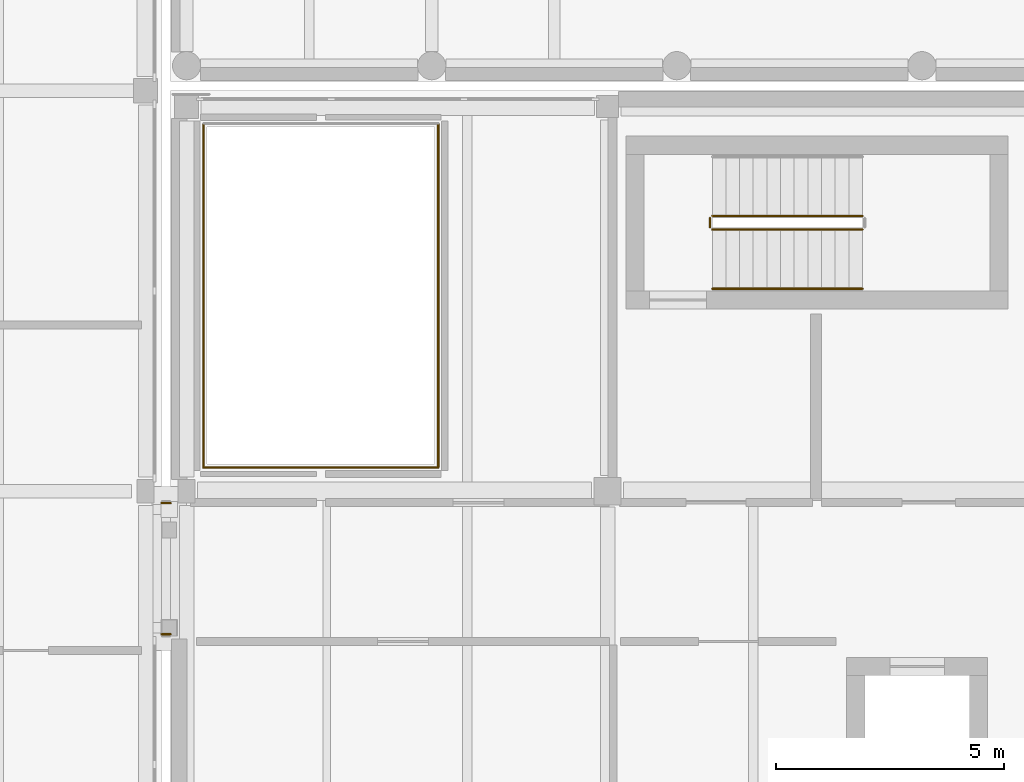
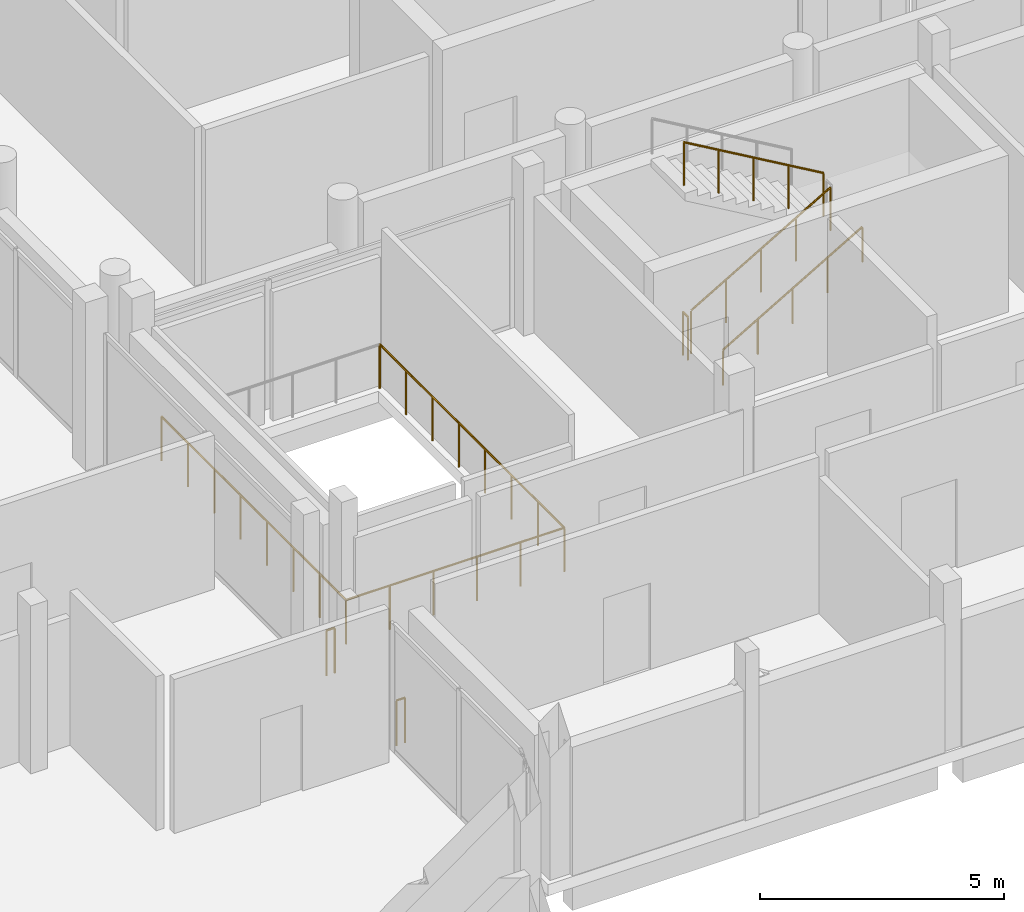
# One storey, part 54 of 66: 9 railings.
"""IFC4 building model written with IfcOpenShell, lengths in metres."""

from ifc_helpers import new_model, si_unit, direction, frame, origin, origin_2d, place, context, subcontext, project, spatial, circle, extrude, material, type_object, element, save


model = new_model("IFC4")

# Units and contexts
model_context = context("Model", 3, precision=1e-05, world=origin(), true_north=direction((0.0, 1.0)))
body_context = subcontext(model_context, "Body", "Model", "MODEL_VIEW")
ifc_project = project(units=[si_unit("LENGTHUNIT", "METRE"), si_unit("AREAUNIT", "SQUARE_METRE"), si_unit("VOLUMEUNIT", "CUBIC_METRE"), si_unit("PLANEANGLEUNIT", "RADIAN"), si_unit("MASSUNIT", "GRAM", prefix="KILO")], contexts=[model_context])

# Site, building, storey
site_placement = place(None, origin())
site = spatial("IfcSite", under=ifc_project, at=site_placement, CompositionType="ELEMENT")
building_placement = place(site_placement, origin())
building = spatial("IfcBuilding", under=site, at=building_placement, Name="Birchvale Park Specialist Clinic", CompositionType="ELEMENT")
storey_placement = place(building_placement, frame((0.0, 0.0, 5.39990234375)))
storey = spatial("IfcBuildingStorey", under=building, at=storey_placement, Name="L01", CompositionType="ELEMENT", Elevation=5.39990234375)

# Railings
ifc_material_1 = material(Name="Brushed stainless steel and laminated glass balustrade", Category="steel")
railing_type_1 = type_object("IfcRailingType", Name="RL-BAL1", PredefinedType="BALUSTRADE", material=ifc_material_1)
railing_1_placement = place(storey_placement, frame((52.52001953125, 26.320068359375, 0.0)))
element("IfcRailing", 1, at=railing_1_placement, inside=storey, type_object=railing_type_1, Name="V4 L01 atrium void balustrade 14", PredefinedType="BALUSTRADE", context=body_context, shape_type="SweptSolid", body=[
    extrude(circle(Radius=0.02392578125, at=origin_2d()), frame((0.0, 0.0, 1.09619140625), z_axis=(1.0, 0.0, 0.0), x_axis=(0.0, 1.0, 0.0)), (0.0, 0.0, 1.0), 5.159912109375),
    extrude(circle(Radius=0.02099609375, at=origin_2d()), origin(), (0.0, 0.0, 1.0), 1.072021484375),
    extrude(circle(Radius=0.02099609375, at=origin_2d()), frame((1.031982421875, 0.0, 0.0)), (0.0, 0.0, 1.0), 1.072021484375),
    extrude(circle(Radius=0.02099609375, at=origin_2d()), frame((2.06396484375, 0.0, 0.0)), (0.0, 0.0, 1.0), 1.072021484375),
    extrude(circle(Radius=0.02099609375, at=origin_2d()), frame((3.095947265625, 0.0, 0.0)), (0.0, 0.0, 1.0), 1.072021484375),
    extrude(circle(Radius=0.02099609375, at=origin_2d()), frame((4.1279296875, 0.0, 0.0)), (0.0, 0.0, 1.0), 1.072021484375),
    extrude(circle(Radius=0.02099609375, at=origin_2d()), frame((5.159912109375, 0.0, 0.0)), (0.0, 0.0, 1.0), 1.072021484375),
])
railing_2_placement = place(storey_placement, frame((57.679931640625, 26.320068359375, 0.0)))
element("IfcRailing", 2, at=railing_2_placement, inside=storey, type_object=railing_type_1, Name="V4 L01 atrium void balustrade 15", PredefinedType="BALUSTRADE", context=body_context, shape_type="SweptSolid", body=[
    extrude(circle(Radius=0.02392578125, at=origin_2d()), frame((0.0, 0.0, 1.09619140625), z_axis=(0.0, 1.0, 0.0), x_axis=(-1.0, 0.0, 0.0)), (0.0, 0.0, 1.0), 7.559814453125),
    extrude(circle(Radius=0.02099609375, at=origin_2d()), origin(), (0.0, 0.0, 1.0), 1.072021484375),
    extrude(circle(Radius=0.02099609375, at=origin_2d()), frame((0.0, 1.080078125, 0.0)), (0.0, 0.0, 1.0), 1.072021484375),
    extrude(circle(Radius=0.02099609375, at=origin_2d()), frame((0.0, 2.159912109375, 0.0)), (0.0, 0.0, 1.0), 1.072021484375),
    extrude(circle(Radius=0.02099609375, at=origin_2d()), frame((0.0, 3.239990234375, 0.0)), (0.0, 0.0, 1.0), 1.072021484375),
    extrude(circle(Radius=0.02099609375, at=origin_2d()), frame((0.0, 4.31982421875, 0.0)), (0.0, 0.0, 1.0), 1.072021484375),
    extrude(circle(Radius=0.02099609375, at=origin_2d()), frame((0.0, 5.39990234375, 0.0)), (0.0, 0.0, 1.0), 1.072021484375),
    extrude(circle(Radius=0.02099609375, at=origin_2d()), frame((0.0, 6.479736328125, 0.0)), (0.0, 0.0, 1.0), 1.072021484375),
    extrude(circle(Radius=0.02099609375, at=origin_2d()), frame((0.0, 7.559814453125, 0.0)), (0.0, 0.0, 1.0), 1.072021484375),
])
railing_3_placement = place(storey_placement, frame((52.52001953125, 33.8798828125, 0.0)))
element("IfcRailing", 3, at=railing_3_placement, inside=storey, type_object=railing_type_1, Name="V4 L01 atrium void balustrade 17", PredefinedType="BALUSTRADE", context=body_context, shape_type="SweptSolid", body=[
    extrude(circle(Radius=0.02392578125, at=origin_2d()), frame((0.0, 0.0, 1.09619140625), z_axis=(0.0, -1.0, 0.0), x_axis=(1.0, 0.0, 0.0)), (0.0, 0.0, 1.0), 7.559814453125),
    extrude(circle(Radius=0.02099609375, at=origin_2d()), origin(), (0.0, 0.0, 1.0), 1.072021484375),
    extrude(circle(Radius=0.02099609375, at=origin_2d()), frame((0.0, -1.080078125, 0.0)), (0.0, 0.0, 1.0), 1.072021484375),
    extrude(circle(Radius=0.02099609375, at=origin_2d()), frame((0.0, -2.159912109375, 0.0)), (0.0, 0.0, 1.0), 1.072021484375),
    extrude(circle(Radius=0.02099609375, at=origin_2d()), frame((0.0, -3.239990234375, 0.0)), (0.0, 0.0, 1.0), 1.072021484375),
    extrude(circle(Radius=0.02099609375, at=origin_2d()), frame((0.0, -4.31982421875, 0.0)), (0.0, 0.0, 1.0), 1.072021484375),
    extrude(circle(Radius=0.02099609375, at=origin_2d()), frame((0.0, -5.39990234375, 0.0)), (0.0, 0.0, 1.0), 1.072021484375),
    extrude(circle(Radius=0.02099609375, at=origin_2d()), frame((0.0, -6.479736328125, 0.0)), (0.0, 0.0, 1.0), 1.072021484375),
    extrude(circle(Radius=0.02099609375, at=origin_2d()), frame((0.0, -7.559814453125, 0.0)), (0.0, 0.0, 1.0), 1.072021484375),
])
railing_type_2 = type_object("IfcRailingType", Name="RL-BAL2", PredefinedType="BALUSTRADE", material=ifc_material_1)
for number, where, name in (
    (4, (51.60009765625, 22.659912109375, 0.0), "L01 seismic joint bridge guard BRG-1.1"),
    (5, (51.60009765625, 25.5400390625, 0.0), "L01 seismic joint bridge guard BRG-1.2"),
):
    element("IfcRailing", number, at=place(storey_placement, frame(where)), inside=storey, type_object=railing_type_2, Name=name, PredefinedType="BALUSTRADE", context=body_context, shape_type="SweptSolid", body=[
        extrude(circle(Radius=0.02392578125, at=origin_2d()), frame((0.0, 0.0, 1.1259765625), z_axis=(1.0, 0.0, 0.0), x_axis=(0.0, 1.0, 0.0)), (0.0, 0.0, 1.0), 0.199951171875),
        extrude(circle(Radius=0.02099609375, at=origin_2d()), origin(), (0.0, 0.0, 1.0), 1.101806640625),
        extrude(circle(Radius=0.02099609375, at=origin_2d()), frame((0.199951171875, 0.0, 0.0)), (0.0, 0.0, 1.0), 1.101806640625),
    ])
ifc_material_2 = material(Name="Brushed stainless steel guard railing", Category="steel")
railing_type_3 = type_object("IfcRailingType", Name="RL-GRD1", PredefinedType="GUARDRAIL", material=ifc_material_2)
railing_4_placement = place(storey_placement, frame((63.699951171875, 31.550048828125, 0.175048828125)))
element("IfcRailing", 6, at=railing_4_placement, inside=storey, type_object=railing_type_3, Name="L01 ST4 stair guard 1", PredefinedType="GUARDRAIL", context=body_context, shape_type="SweptSolid", body=[
    extrude(circle(Radius=0.02392578125, at=origin_2d()), frame((0.0, 0.0, 1.076171875), z_axis=(0.863776583165, 0.0, 0.503874998761), x_axis=(0.0, 1.0, 0.0)), (0.0, 0.0, 1.0), 3.820556640625),
    extrude(circle(Radius=0.02099609375, at=origin_2d()), origin(), (0.0, 0.0, 1.0), 1.052001953125),
    extrude(circle(Radius=0.02099609375, at=origin_2d()), frame((0.824951171875, 0.0, 0.481201171875)), (0.0, 0.0, 1.0), 1.052001953125),
    extrude(circle(Radius=0.02099609375, at=origin_2d()), frame((1.64990234375, 0.0, 0.96240234375)), (0.0, 0.0, 1.0), 1.052001953125),
    extrude(circle(Radius=0.02099609375, at=origin_2d()), frame((2.47509765625, 0.0, 1.44384765625)), (0.0, 0.0, 1.0), 1.052001953125),
    extrude(circle(Radius=0.02099609375, at=origin_2d()), frame((3.300048828125, 0.0, 1.925048828125)), (0.0, 0.0, 1.0), 1.052001953125),
])
railing_5_placement = place(storey_placement, frame((67.0, 31.85009765625, 2.275146484375)))
element("IfcRailing", 7, at=railing_5_placement, inside=storey, type_object=railing_type_3, Name="L01 ST4 stair guard 3", PredefinedType="GUARDRAIL", context=body_context, shape_type="SweptSolid", body=[
    extrude(circle(Radius=0.02392578125, at=origin_2d()), frame((0.0, 0.0, 1.076171875), z_axis=(-0.863776583165, 0.0, 0.503874998761), x_axis=(0.0, -1.0, 0.0)), (0.0, 0.0, 1.0), 3.820556640625),
    extrude(circle(Radius=0.02099609375, at=origin_2d()), origin(), (0.0, 0.0, 1.0), 1.052001953125),
    extrude(circle(Radius=0.02099609375, at=origin_2d()), frame((-0.824951171875, 0.0, 0.481201171875)), (0.0, 0.0, 1.0), 1.052001953125),
    extrude(circle(Radius=0.02099609375, at=origin_2d()), frame((-1.64990234375, 0.0, 0.96240234375)), (0.0, 0.0, 1.0), 1.052001953125),
    extrude(circle(Radius=0.02099609375, at=origin_2d()), frame((-2.47509765625, 0.0, 1.44384765625)), (0.0, 0.0, 1.0), 1.052001953125),
    extrude(circle(Radius=0.02099609375, at=origin_2d()), frame((-3.300048828125, 0.0, 1.925048828125)), (0.0, 0.0, 1.0), 1.052001953125),
])
railing_6_placement = place(storey_placement, frame((63.64990234375, 31.60009765625, 0.0)))
element("IfcRailing", 8, at=railing_6_placement, inside=storey, type_object=railing_type_3, Name="L01 ST4 stair guard 4", PredefinedType="GUARDRAIL", context=body_context, shape_type="SweptSolid", body=[
    extrude(circle(Radius=0.02392578125, at=origin_2d()), frame((0.0, 0.0, 1.076171875), z_axis=(0.0, 1.0, 0.0), x_axis=(-1.0, 0.0, 0.0)), (0.0, 0.0, 1.0), 0.199951171875),
    extrude(circle(Radius=0.02099609375, at=origin_2d()), origin(), (0.0, 0.0, 1.0), 1.052001953125),
    extrude(circle(Radius=0.02099609375, at=origin_2d()), frame((0.0, 0.199951171875, 0.0)), (0.0, 0.0, 1.0), 1.052001953125),
])
ifc_material_3 = material(Name="Anodised aluminium handrail", Category="aluminium")
railing_type_4 = type_object("IfcRailingType", Name="RL-HND1", PredefinedType="HANDRAIL", material=ifc_material_3)
railing_7_placement = place(storey_placement, frame((63.699951171875, 30.25, 0.175048828125)))
element("IfcRailing", 9, at=railing_7_placement, inside=storey, type_object=railing_type_4, Name="L01 ST4 stair handrail 1", PredefinedType="HANDRAIL", context=body_context, shape_type="SweptSolid", body=[
    extrude(circle(Radius=0.02392578125, at=origin_2d()), frame((0.0, 0.0, 0.8759765625), z_axis=(0.863776583165, 0.0, 0.503874998761), x_axis=(0.0, 1.0, 0.0)), (0.0, 0.0, 1.0), 3.820556640625),
    extrude(circle(Radius=0.02099609375, at=origin_2d()), origin(), (0.0, 0.0, 1.0), 0.851806640625),
    extrude(circle(Radius=0.02099609375, at=origin_2d()), frame((0.824951171875, 0.0, 0.481201171875)), (0.0, 0.0, 1.0), 0.851806640625),
    extrude(circle(Radius=0.02099609375, at=origin_2d()), frame((1.64990234375, 0.0, 0.96240234375)), (0.0, 0.0, 1.0), 0.851806640625),
    extrude(circle(Radius=0.02099609375, at=origin_2d()), frame((2.47509765625, 0.0, 1.44384765625)), (0.0, 0.0, 1.0), 0.851806640625),
    extrude(circle(Radius=0.02099609375, at=origin_2d()), frame((3.300048828125, 0.0, 1.925048828125)), (0.0, 0.0, 1.0), 0.851806640625),
])

save(model, "model.ifc")
